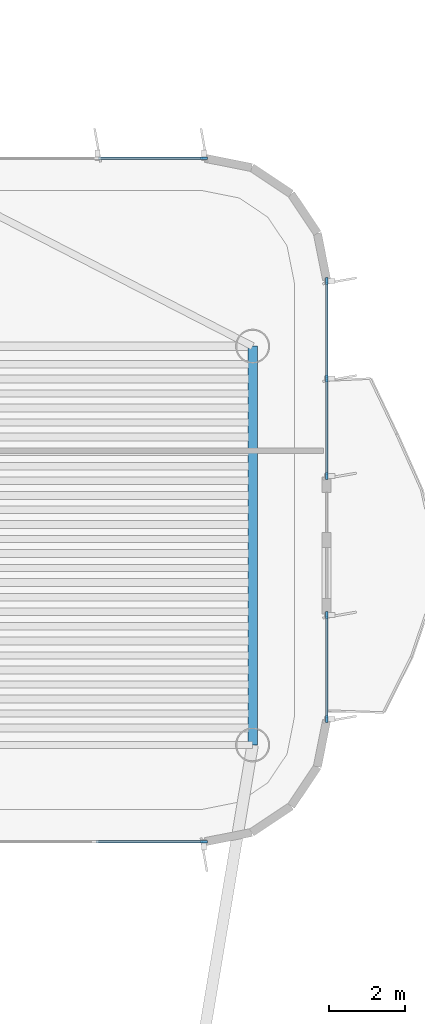
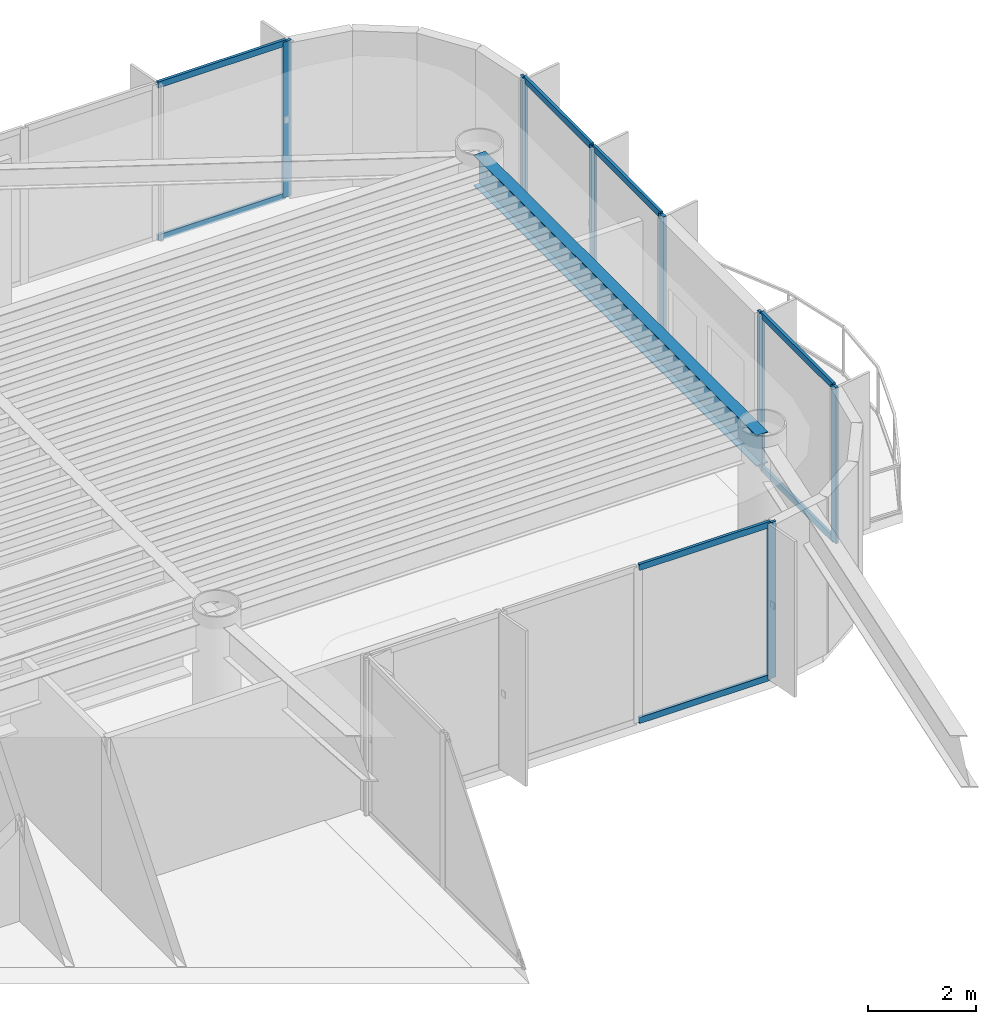
# One storey, part 8 of 15: 17 members, 1 beam, 4 elements without a shape of their own.
"""IFC4 building model written with IfcOpenShell, lengths in metres."""

from ifc_helpers import new_model, si_unit, direction, frame, origin, origin_2d, place, context, subcontext, project, spatial, rectangle, i_section, extrude, source, transform, mapped, material, layer, layer_set, material_profile, profile_set, type_object, element, aggregate, save


model = new_model("IFC4")

# Units and contexts
model_context = context("Model", 3, precision=1e-05, world=origin(), true_north=direction((0.0, 1.0)))
body_context = subcontext(model_context, "Body", "Model", "MODEL_VIEW")
ifc_project = project(units=[si_unit("LENGTHUNIT", "METRE"), si_unit("AREAUNIT", "SQUARE_METRE"), si_unit("VOLUMEUNIT", "CUBIC_METRE"), si_unit("PLANEANGLEUNIT", "RADIAN"), si_unit("MASSUNIT", "GRAM", prefix="KILO")], contexts=[model_context])

# Site, building, storey
site_placement = place(None, origin())
site = spatial("IfcSite", under=ifc_project, at=site_placement, CompositionType="ELEMENT")
building_placement = place(site_placement, origin())
building = spatial("IfcBuilding", under=site, at=building_placement, Name="Brelvock Crest Care Tower", CompositionType="ELEMENT")
storey_placement = place(building_placement, frame((0.0, 0.0, 283.5)))
storey = spatial("IfcBuildingStorey", under=building, at=storey_placement, Name="L72", CompositionType="ELEMENT", Elevation=283.5)

# Beam
ifc_material_1 = material(Name="Steel Grade 350", Category="steel")
ifc_material_profile_1 = material_profile(ifc_material_1, i_section(OverallWidth=0.25, OverallDepth=0.699951171875, WebThickness=0.011962890625, FlangeThickness=0.02001953125, at=origin_2d()), Name="700WB150")
ifc_profile_set_1 = profile_set([ifc_material_profile_1], Name="Steel Grade 350")
beam_type = type_object("IfcBeamType", Name="BM-G4", PredefinedType="BEAM", material=ifc_profile_set_1)
shared_shape_1 = source(origin(), body_context, "Body", "SweptSolid", [
    extrude(i_section(OverallWidth=0.25, OverallDepth=0.699951171875, WebThickness=0.011962890625, FlangeThickness=0.02001953125, at=origin_2d()), origin(), (0.0, 0.0, 1.0), 10.5),
])
beam_placement = place(storey_placement, frame((52.35009765625, 43.949951171875, 3.179931640625), z_axis=(0.0, 1.0, 0.0), x_axis=(-1.0, 0.0, 0.0)))
element("IfcBeam", 1, at=beam_placement, inside=storey, type_object=beam_type, Name="BM-TWR-L72-02", PredefinedType="BEAM", context=body_context, shape_type="MappedRepresentation", body=[
    mapped(shared_shape_1, transform((0.0, 0.0, 0.0), x_axis=(1.0, 0.0, 0.0), y_axis=(0.0, 1.0, 0.0), z_axis=(0.0, 0.0, 1.0), scale=1.0)),
])

# Curtain wall, member
ifc_material_2 = material(Name="Dark Glass Double Glazed Low-E", Category="glass")
ifc_layer = layer(ifc_material_2, 0.239990234375, Name="CWS-5")
ifc_layer_set = layer_set([ifc_layer], Name="Dark Glass Double Glazed Low-E")
curtain_wall_type = type_object("IfcCurtainWallType", Name="CWS-5", PredefinedType="NOTDEFINED", material=ifc_layer_set)
curtain_wall_1_placement = place(storey_placement, origin())
curtain_wall_1 = element("IfcCurtainWall", 2, at=curtain_wall_1_placement, inside=storey, type_object=curtain_wall_type, Name="L72 Curtain Wall E34", PredefinedType="NOTDEFINED")
ifc_material_3 = material(Name="Aluminium 6063-T6", Category="aluminium")
ifc_material_profile_2 = material_profile(ifc_material_3, rectangle(XDim=0.06005859375, YDim=0.179931640625, at=origin_2d()), Name="ALU60x180")
ifc_profile_set_2 = profile_set([ifc_material_profile_2], Name="Aluminium 6063-T6")
member_type_1 = type_object("IfcMemberType", Name="CWM-2", PredefinedType="MULLION", material=ifc_profile_set_2)
shared_shape_2 = source(origin(), body_context, "Body", "SweptSolid", [
    extrude(rectangle(XDim=0.06005859375, YDim=0.179931640625, at=origin_2d()), origin(), (0.0, 0.0, 1.0), 3.530029296875),
])
member_1_placement = place(storey_placement, frame((51.070068359375, 59.39990234375, 0.0), z_axis=(0.0, 0.0, 1.0), x_axis=(0.0, 1.0, 0.0)))
member_1 = element("IfcMember", 3, at=member_1_placement, type_object=member_type_1, Name="CW-5 mullion 4", PredefinedType="MULLION", context=body_context, shape_type="MappedRepresentation", body=[
    mapped(shared_shape_2, transform((0.0, 0.0, 0.0), x_axis=(1.0, 0.0, 0.0), y_axis=(0.0, 1.0, 0.0), z_axis=(0.0, 0.0, 1.0), scale=1.0)),
])

# Curtain wall, members
curtain_wall_2_placement = place(storey_placement, origin())
curtain_wall_2 = element("IfcCurtainWall", 4, at=curtain_wall_2_placement, inside=storey, type_object=curtain_wall_type, Name="L72 Curtain Wall E39A", PredefinedType="NOTDEFINED")
member_2_placement = place(storey_placement, frame((54.300048828125, 56.169921875, 0.0), z_axis=(0.0, 0.0, 1.0), x_axis=(1.0, 0.0, 0.0)))
member_2 = element("IfcMember", 5, at=member_2_placement, type_object=member_type_1, Name="CW-5 mullion 1", PredefinedType="MULLION", context=body_context, shape_type="MappedRepresentation", body=[
    mapped(shared_shape_2, transform((0.0, 0.0, 0.0), x_axis=(1.0, 0.0, 0.0), y_axis=(0.0, 1.0, 0.0), z_axis=(0.0, 0.0, 1.0), scale=1.0)),
])
member_3_placement = place(storey_placement, frame((54.300048828125, 53.60009765625, 0.0), z_axis=(0.0, 0.0, 1.0), x_axis=(1.0, 0.0, 0.0)))
member_3 = element("IfcMember", 6, at=member_3_placement, type_object=member_type_1, Name="CW-5 mullion 2", PredefinedType="MULLION", context=body_context, shape_type="MappedRepresentation", body=[
    mapped(shared_shape_2, transform((0.0, 0.0, 0.0), x_axis=(1.0, 0.0, 0.0), y_axis=(0.0, 1.0, 0.0), z_axis=(0.0, 0.0, 1.0), scale=1.0)),
])
member_4_placement = place(storey_placement, frame((54.300048828125, 51.030029296875, 0.0), z_axis=(0.0, 0.0, 1.0), x_axis=(1.0, 0.0, 0.0)))
member_4 = element("IfcMember", 7, at=member_4_placement, type_object=member_type_1, Name="CW-5 mullion 3", PredefinedType="MULLION", context=body_context, shape_type="MappedRepresentation", body=[
    mapped(shared_shape_2, transform((0.0, 0.0, 0.0), x_axis=(1.0, 0.0, 0.0), y_axis=(0.0, 1.0, 0.0), z_axis=(0.0, 0.0, 1.0), scale=1.0)),
])

curtain_wall_3_placement = place(storey_placement, origin())
curtain_wall_3 = element("IfcCurtainWall", 8, at=curtain_wall_3_placement, inside=storey, type_object=curtain_wall_type, Name="L72 Curtain Wall E39B", PredefinedType="NOTDEFINED")
member_5_placement = place(storey_placement, frame((54.300048828125, 47.3701171875, 0.0), z_axis=(0.0, 0.0, 1.0), x_axis=(1.0, 0.0, 0.0)))
member_5 = element("IfcMember", 9, at=member_5_placement, type_object=member_type_1, Name="CW-5 mullion 1", PredefinedType="MULLION", context=body_context, shape_type="MappedRepresentation", body=[
    mapped(shared_shape_2, transform((0.0, 0.0, 0.0), x_axis=(1.0, 0.0, 0.0), y_axis=(0.0, 1.0, 0.0), z_axis=(0.0, 0.0, 1.0), scale=1.0)),
])
member_6_placement = place(storey_placement, frame((54.300048828125, 44.6298828125, 0.0), z_axis=(0.0, 0.0, 1.0), x_axis=(1.0, 0.0, 0.0)))
member_6 = element("IfcMember", 10, at=member_6_placement, type_object=member_type_1, Name="CW-5 mullion 2", PredefinedType="MULLION", context=body_context, shape_type="MappedRepresentation", body=[
    mapped(shared_shape_2, transform((0.0, 0.0, 0.0), x_axis=(1.0, 0.0, 0.0), y_axis=(0.0, 1.0, 0.0), z_axis=(0.0, 0.0, 1.0), scale=1.0)),
])

# Curtain wall, member
curtain_wall_4_placement = place(storey_placement, origin())
curtain_wall_4 = element("IfcCurtainWall", 11, at=curtain_wall_4_placement, inside=storey, type_object=curtain_wall_type, Name="L72 Curtain Wall E44", PredefinedType="NOTDEFINED")
member_7_placement = place(storey_placement, frame((51.070068359375, 41.39990234375, 0.0), z_axis=(0.0, 0.0, 1.0), x_axis=(0.0, -1.0, 0.0)))
member_7 = element("IfcMember", 12, at=member_7_placement, type_object=member_type_1, Name="CW-5 mullion 1", PredefinedType="MULLION", context=body_context, shape_type="MappedRepresentation", body=[
    mapped(shared_shape_2, transform((0.0, 0.0, 0.0), x_axis=(1.0, 0.0, 0.0), y_axis=(0.0, 1.0, 0.0), z_axis=(0.0, 0.0, 1.0), scale=1.0)),
])

# Member
ifc_material_profile_3 = material_profile(ifc_material_3, rectangle(XDim=0.06005859375, YDim=0.139892578125, at=origin_2d()), Name="ALU60x140")
ifc_profile_set_3 = profile_set([ifc_material_profile_3], Name="Aluminium 6063-T6")
member_type_2 = type_object("IfcMemberType", Name="CWT-2", PredefinedType="USERDEFINED", material=ifc_profile_set_3)
shared_shape_3 = source(origin(), body_context, "Body", "SweptSolid", [
    extrude(rectangle(XDim=0.06005859375, YDim=0.139892578125, at=origin_2d()), origin(), (0.0, 0.0, 1.0), 2.510009765625),
])
member_8_placement = place(storey_placement, frame((54.300048828125, 56.139892578125, 0.030029296875), z_axis=(0.0, -1.0, 0.0), x_axis=(1.0, 0.0, 0.0)))
member_8 = element("IfcMember", 13, at=member_8_placement, type_object=member_type_2, Name="CW-5 transom 1.1", ObjectType="TRANSOM", PredefinedType="USERDEFINED", context=body_context, shape_type="MappedRepresentation", body=[
    mapped(shared_shape_3, transform((0.0, 0.0, 0.0), x_axis=(1.0, 0.0, 0.0), y_axis=(0.0, 1.0, 0.0), z_axis=(0.0, 0.0, 1.0), scale=1.0)),
])

member_9_placement = place(storey_placement, frame((54.300048828125, 56.139892578125, 3.5), z_axis=(0.0, -1.0, 0.0), x_axis=(1.0, 0.0, 0.0)))
member_9 = element("IfcMember", 14, at=member_9_placement, type_object=member_type_2, Name="CW-5 transom 1.2", ObjectType="TRANSOM", PredefinedType="USERDEFINED", context=body_context, shape_type="MappedRepresentation", body=[
    mapped(shared_shape_3, transform((0.0, 0.0, 0.0), x_axis=(1.0, 0.0, 0.0), y_axis=(0.0, 1.0, 0.0), z_axis=(0.0, 0.0, 1.0), scale=1.0)),
])

member_10_placement = place(storey_placement, frame((54.300048828125, 53.570068359375, 0.030029296875), z_axis=(0.0, -1.0, 0.0), x_axis=(1.0, 0.0, 0.0)))
member_10 = element("IfcMember", 15, at=member_10_placement, type_object=member_type_2, Name="CW-5 transom 2.1", ObjectType="TRANSOM", PredefinedType="USERDEFINED", context=body_context, shape_type="MappedRepresentation", body=[
    mapped(shared_shape_3, transform((0.0, 0.0, 0.0), x_axis=(1.0, 0.0, 0.0), y_axis=(0.0, 1.0, 0.0), z_axis=(0.0, 0.0, 1.0), scale=1.0)),
])

member_11_placement = place(storey_placement, frame((54.300048828125, 53.570068359375, 3.5), z_axis=(0.0, -1.0, 0.0), x_axis=(1.0, 0.0, 0.0)))
member_11 = element("IfcMember", 16, at=member_11_placement, type_object=member_type_2, Name="CW-5 transom 2.2", ObjectType="TRANSOM", PredefinedType="USERDEFINED", context=body_context, shape_type="MappedRepresentation", body=[
    mapped(shared_shape_3, transform((0.0, 0.0, 0.0), x_axis=(1.0, 0.0, 0.0), y_axis=(0.0, 1.0, 0.0), z_axis=(0.0, 0.0, 1.0), scale=1.0)),
])

aggregate(curtain_wall_2, [member_2, member_3, member_4, member_8, member_9, member_10, member_11])

shared_shape_4 = source(origin(), body_context, "Body", "SweptSolid", [
    extrude(rectangle(XDim=0.06005859375, YDim=0.139892578125, at=origin_2d()), origin(), (0.0, 0.0, 1.0), 2.81005859375),
])
member_12_placement = place(storey_placement, frame((51.0400390625, 41.39990234375, 0.030029296875), z_axis=(-1.0, 0.0, 0.0), x_axis=(0.0, -1.0, 0.0)))
member_12 = element("IfcMember", 17, at=member_12_placement, type_object=member_type_2, Name="CW-5 transom 1.1", ObjectType="TRANSOM", PredefinedType="USERDEFINED", context=body_context, shape_type="MappedRepresentation", body=[
    mapped(shared_shape_4, transform((0.0, 0.0, 0.0), x_axis=(1.0, 0.0, 0.0), y_axis=(0.0, 1.0, 0.0), z_axis=(0.0, 0.0, 1.0), scale=1.0)),
])

member_13_placement = place(storey_placement, frame((51.0400390625, 41.39990234375, 3.5), z_axis=(-1.0, 0.0, 0.0), x_axis=(0.0, -1.0, 0.0)))
member_13 = element("IfcMember", 18, at=member_13_placement, type_object=member_type_2, Name="CW-5 transom 1.2", ObjectType="TRANSOM", PredefinedType="USERDEFINED", context=body_context, shape_type="MappedRepresentation", body=[
    mapped(shared_shape_4, transform((0.0, 0.0, 0.0), x_axis=(1.0, 0.0, 0.0), y_axis=(0.0, 1.0, 0.0), z_axis=(0.0, 0.0, 1.0), scale=1.0)),
])

aggregate(curtain_wall_4, [member_7, member_12, member_13])

shared_shape_5 = source(origin(), body_context, "Body", "SweptSolid", [
    extrude(rectangle(XDim=0.06005859375, YDim=0.139892578125, at=origin_2d()), origin(), (0.0, 0.0, 1.0), 2.743408203125),
])
member_14_placement = place(storey_placement, frame((48.296630859375, 59.39990234375, 0.030029296875), z_axis=(1.0, 0.0, 0.0), x_axis=(0.0, 1.0, 0.0)))
member_14 = element("IfcMember", 19, at=member_14_placement, type_object=member_type_2, Name="CW-5 transom 3.1", ObjectType="TRANSOM", PredefinedType="USERDEFINED", context=body_context, shape_type="MappedRepresentation", body=[
    mapped(shared_shape_5, transform((0.0, 0.0, 0.0), x_axis=(1.0, 0.0, 0.0), y_axis=(0.0, 1.0, 0.0), z_axis=(0.0, 0.0, 1.0), scale=1.0)),
])

member_15_placement = place(storey_placement, frame((48.296630859375, 59.39990234375, 3.5), z_axis=(1.0, 0.0, 0.0), x_axis=(0.0, 1.0, 0.0)))
member_15 = element("IfcMember", 20, at=member_15_placement, type_object=member_type_2, Name="CW-5 transom 3.2", ObjectType="TRANSOM", PredefinedType="USERDEFINED", context=body_context, shape_type="MappedRepresentation", body=[
    mapped(shared_shape_5, transform((0.0, 0.0, 0.0), x_axis=(1.0, 0.0, 0.0), y_axis=(0.0, 1.0, 0.0), z_axis=(0.0, 0.0, 1.0), scale=1.0)),
])

aggregate(curtain_wall_1, [member_1, member_14, member_15])

shared_shape_6 = source(origin(), body_context, "Body", "SweptSolid", [
    extrude(rectangle(XDim=0.06005859375, YDim=0.139892578125, at=origin_2d()), origin(), (0.0, 0.0, 1.0), 2.68017578125),
])
member_16_placement = place(storey_placement, frame((54.300048828125, 47.340087890625, 0.030029296875), z_axis=(0.0, -1.0, 0.0), x_axis=(1.0, 0.0, 0.0)))
member_16 = element("IfcMember", 21, at=member_16_placement, type_object=member_type_2, Name="CW-5 transom 1.1", ObjectType="TRANSOM", PredefinedType="USERDEFINED", context=body_context, shape_type="MappedRepresentation", body=[
    mapped(shared_shape_6, transform((0.0, 0.0, 0.0), x_axis=(1.0, 0.0, 0.0), y_axis=(0.0, 1.0, 0.0), z_axis=(0.0, 0.0, 1.0), scale=1.0)),
])

member_17_placement = place(storey_placement, frame((54.300048828125, 47.340087890625, 3.5), z_axis=(0.0, -1.0, 0.0), x_axis=(1.0, 0.0, 0.0)))
member_17 = element("IfcMember", 22, at=member_17_placement, type_object=member_type_2, Name="CW-5 transom 1.2", ObjectType="TRANSOM", PredefinedType="USERDEFINED", context=body_context, shape_type="MappedRepresentation", body=[
    mapped(shared_shape_6, transform((0.0, 0.0, 0.0), x_axis=(1.0, 0.0, 0.0), y_axis=(0.0, 1.0, 0.0), z_axis=(0.0, 0.0, 1.0), scale=1.0)),
])

aggregate(curtain_wall_3, [member_5, member_6, member_16, member_17])

save(model, "model.ifc")
